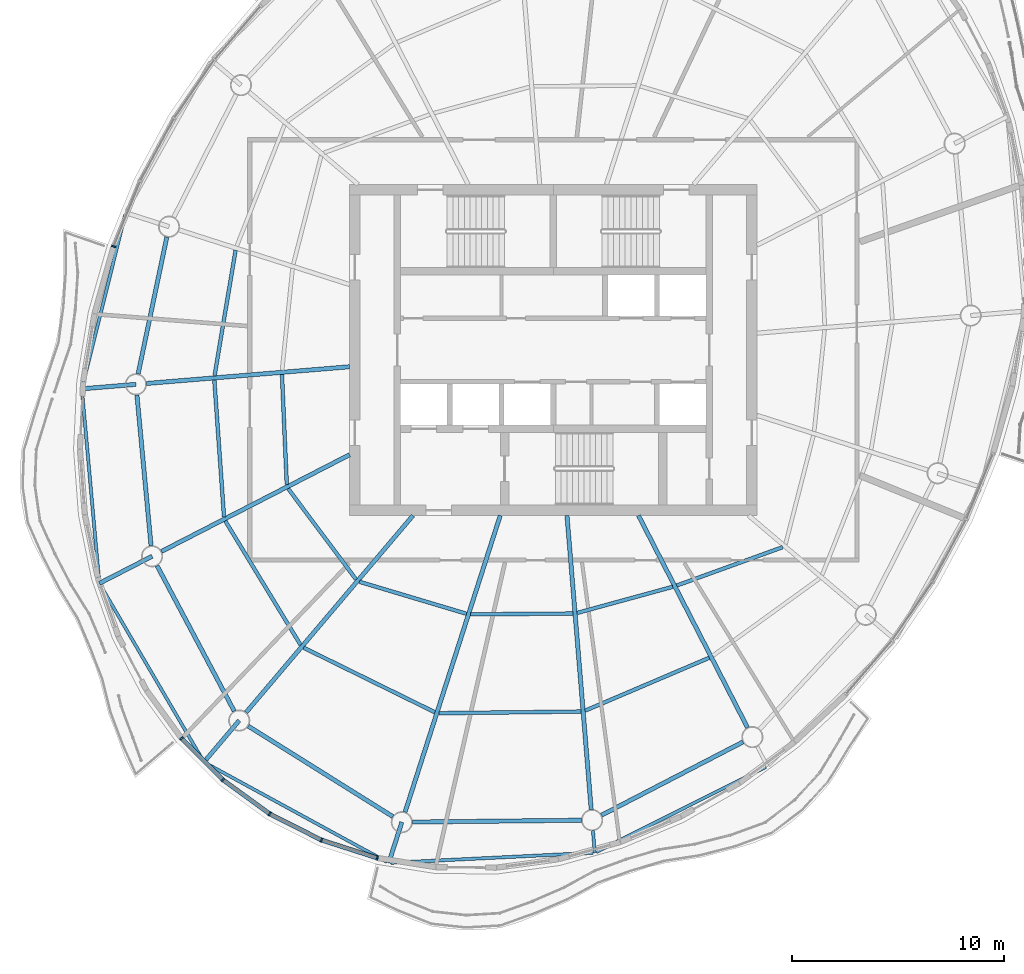
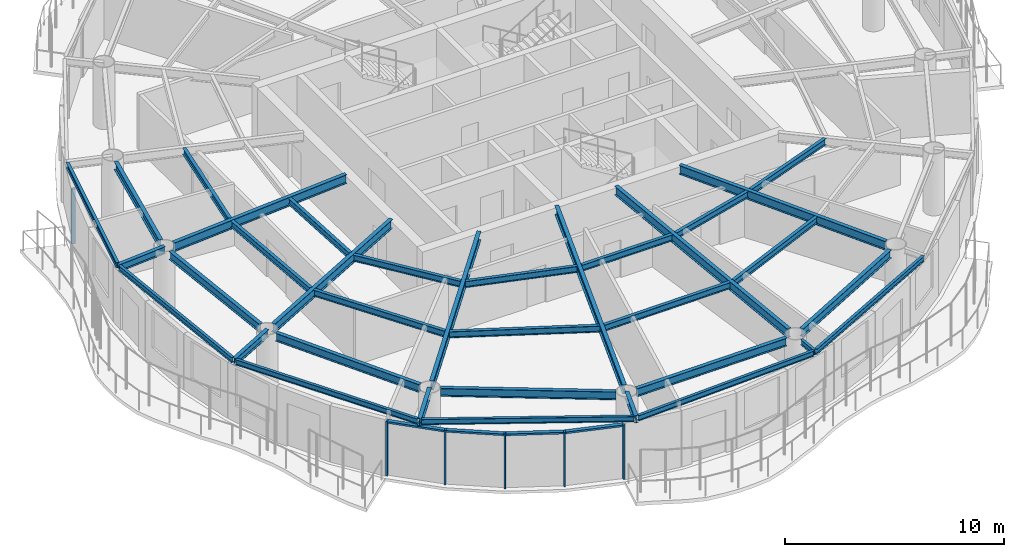
# One storey, part 2 of 14: 35 beams, 10 members, 5 elements without a shape of their own.
"""IFC4 building model written with IfcOpenShell, lengths in metres."""

from ifc_helpers import new_model, si_unit, direction, frame, origin, origin_2d, place, context, subcontext, project, spatial, rectangle, i_section, extrude, material, material_profile, profile_set, type_object, element, aggregate, save


model = new_model("IFC4")

# Units and contexts
model_context = context("Model", 3, precision=1e-05, world=origin(), true_north=direction((0.0, 1.0)))
body_context = subcontext(model_context, "Body", "Model", "MODEL_VIEW")
ifc_project = project(units=[si_unit("LENGTHUNIT", "METRE"), si_unit("AREAUNIT", "SQUARE_METRE"), si_unit("VOLUMEUNIT", "CUBIC_METRE"), si_unit("PLANEANGLEUNIT", "RADIAN"), si_unit("MASSUNIT", "GRAM", prefix="KILO")], contexts=[model_context])

# Site, building, storey
site_placement = place(None, origin())
site = spatial("IfcSite", under=ifc_project, at=site_placement, CompositionType="ELEMENT")
building_placement = place(site_placement, origin())
building = spatial("IfcBuilding", under=site, at=building_placement, Name="Vermilion Reach Broadcast Tower", CompositionType="ELEMENT")
storey_placement = place(building_placement, frame((0.0, 0.0, 268.5)))
storey = spatial("IfcBuildingStorey", under=building, at=storey_placement, Name="L66", CompositionType="ELEMENT", Elevation=268.5)

# Beams
ifc_material_1 = material(Name="Steel S355J2", Category="steel")
ifc_material_profile_1 = material_profile(ifc_material_1, i_section(OverallWidth=0.14990234375, OverallDepth=0.300048828125, WebThickness=0.006591796875, FlangeThickness=0.009033203125, at=origin_2d()), Name="S355J2 HN 300x150x6.5x9")
ifc_profile_set_1 = profile_set([ifc_material_profile_1], Name="Steel S355J2")
beam_type_1 = type_object("IfcBeamType", Name="EB5 HN 300x150x6.5x9", PredefinedType="BEAM", material=ifc_profile_set_1)
beam_1_placement = place(storey_placement, frame((-26.172119140625, 6.36767578125, 3.300048828125), z_axis=(-0.241605942273, -0.970374447653, 0.0), x_axis=(0.970374447653, -0.241605942273, 0.0)))
element("IfcBeam", 1, at=beam_1_placement, inside=storey, type_object=beam_type_1, Name="Edge beam EB5-05", PredefinedType="BEAM", context=body_context, shape_type="SweptSolid", body=[
    extrude(i_section(OverallWidth=0.14990234375, OverallDepth=0.300048828125, WebThickness=0.006591796875, FlangeThickness=0.009033203125, at=origin_2d()), origin(), (0.0, 0.0, 1.0), 8.342529296875),
])
beam_2_placement = place(storey_placement, frame((-28.204345703125, -1.9296875, 3.300048828125), z_axis=(0.089613201352, -0.995976643372, 0.0), x_axis=(0.995976643372, 0.089613201352, 0.0)))
element("IfcBeam", 2, at=beam_2_placement, inside=storey, type_object=beam_type_1, Name="Edge beam EB5-06", PredefinedType="BEAM", context=body_context, shape_type="SweptSolid", body=[
    extrude(i_section(OverallWidth=0.14990234375, OverallDepth=0.300048828125, WebThickness=0.006591796875, FlangeThickness=0.009033203125, at=origin_2d()), origin(), (0.0, 0.0, 1.0), 8.995849609375),
])
beam_3_placement = place(storey_placement, frame((-27.337890625, -11.08349609375, 3.300048828125), z_axis=(0.505035693292, -0.863098458174, 0.0), x_axis=(0.863098458174, 0.505035693292, 0.0)))
element("IfcBeam", 3, at=beam_3_placement, inside=storey, type_object=beam_type_1, Name="Edge beam EB5-07", PredefinedType="BEAM", context=body_context, shape_type="SweptSolid", body=[
    extrude(i_section(OverallWidth=0.14990234375, OverallDepth=0.300048828125, WebThickness=0.006591796875, FlangeThickness=0.009033203125, at=origin_2d()), origin(), (0.0, 0.0, 1.0), 9.5498046875),
])
beam_4_placement = place(storey_placement, frame((-22.371826171875, -19.466552734375, 3.300048828125), z_axis=(0.877919584197, -0.47880810737, 0.0), x_axis=(0.47880810737, 0.877919584197, 0.0)))
element("IfcBeam", 4, at=beam_4_placement, inside=storey, type_object=beam_type_1, Name="Edge beam EB5-08", PredefinedType="BEAM", context=body_context, shape_type="SweptSolid", body=[
    extrude(i_section(OverallWidth=0.14990234375, OverallDepth=0.300048828125, WebThickness=0.006591796875, FlangeThickness=0.009033203125, at=origin_2d()), origin(), (0.0, 0.0, 1.0), 9.7138671875),
])
beam_5_placement = place(storey_placement, frame((-13.647705078125, -24.1611328125, 3.300048828125), z_axis=(0.998787332885, 0.049232749952, 0.0), x_axis=(-0.049232749952, 0.998787332885, 0.0)))
element("IfcBeam", 5, at=beam_5_placement, inside=storey, type_object=beam_type_1, Name="Edge beam EB5-09", PredefinedType="BEAM", context=body_context, shape_type="SweptSolid", body=[
    extrude(i_section(OverallWidth=0.14990234375, OverallDepth=0.300048828125, WebThickness=0.006591796875, FlangeThickness=0.009033203125, at=origin_2d()), origin(), (0.0, 0.0, 1.0), 9.535888671875),
])
beam_6_placement = place(storey_placement, frame((-3.97607421875, -23.65185546875, 3.300048828125), z_axis=(0.894197693864, 0.447672295645, 0.0), x_axis=(-0.447672295645, 0.894197693864, 0.0)))
element("IfcBeam", 6, at=beam_6_placement, inside=storey, type_object=beam_type_1, Name="Edge beam EB5-10", PredefinedType="BEAM", context=body_context, shape_type="SweptSolid", body=[
    extrude(i_section(OverallWidth=0.14990234375, OverallDepth=0.300048828125, WebThickness=0.006591796875, FlangeThickness=0.009033203125, at=origin_2d()), origin(), (0.0, 0.0, 1.0), 8.940673828125),
])
ifc_material_2 = material(Name="Steel S355J2", Category="steel")
ifc_material_profile_2 = material_profile(ifc_material_2, i_section(OverallWidth=0.199951171875, OverallDepth=0.5, WebThickness=0.010009765625, FlangeThickness=0.01611328125, at=origin_2d()), Name="S355J2 HN 500x200x10x16")
ifc_profile_set_2 = profile_set([ifc_material_profile_2], Name="Steel S355J2")
beam_type_2 = type_object("IfcBeamType", Name="G5 HN 500x200x10x16", PredefinedType="BEAM", material=ifc_profile_set_2)
beam_7_placement = place(storey_placement, frame((-15.60009765625, -0.791015625, 3.199951171875), z_axis=(-0.996624410075, -0.082096195058, 0.0), x_axis=(0.082096195058, -0.996624410075, 0.0)))
element("IfcBeam", 7, at=beam_7_placement, inside=storey, type_object=beam_type_2, Name="Girder G5-06", PredefinedType="BEAM", context=body_context, shape_type="SweptSolid", body=[
    extrude(i_section(OverallWidth=0.199951171875, OverallDepth=0.5, WebThickness=0.010009765625, FlangeThickness=0.01611328125, at=origin_2d()), origin(), (0.0, 0.0, 1.0), 9.599609375),
])
beam_8_placement = place(storey_placement, frame((-15.60009765625, -4.935791015625, 3.199951171875), z_axis=(-0.889332502449, -0.457261085254, 0.0), x_axis=(0.457261085254, -0.889332502449, 0.0)))
element("IfcBeam", 8, at=beam_8_placement, inside=storey, type_object=beam_type_2, Name="Girder G5-07", PredefinedType="BEAM", context=body_context, shape_type="SweptSolid", body=[
    extrude(i_section(OverallWidth=0.199951171875, OverallDepth=0.5, WebThickness=0.010009765625, FlangeThickness=0.01611328125, at=origin_2d()), origin(), (0.0, 0.0, 1.0), 9.96337890625),
])
beam_9_placement = place(storey_placement, frame((-12.612548828125, -7.800048828125, 3.199951171875), z_axis=(-0.646658335602, -0.762779782766, 0.0), x_axis=(0.762779782766, -0.646658335602, 0.0)))
element("IfcBeam", 9, at=beam_9_placement, inside=storey, type_object=beam_type_2, Name="Girder G5-08", PredefinedType="BEAM", context=body_context, shape_type="SweptSolid", body=[
    extrude(i_section(OverallWidth=0.199951171875, OverallDepth=0.5, WebThickness=0.010009765625, FlangeThickness=0.01611328125, at=origin_2d()), origin(), (0.0, 0.0, 1.0), 12.16064453125),
])
beam_10_placement = place(storey_placement, frame((-8.502685546875, -7.800048828125, 3.199951171875), z_axis=(-0.305545401295, -0.952177508528, 0.0), x_axis=(0.952177508528, -0.305545401295, 0.0)))
element("IfcBeam", 10, at=beam_10_placement, inside=storey, type_object=beam_type_2, Name="Girder G5-09", PredefinedType="BEAM", context=body_context, shape_type="SweptSolid", body=[
    extrude(i_section(OverallWidth=0.199951171875, OverallDepth=0.5, WebThickness=0.010009765625, FlangeThickness=0.01611328125, at=origin_2d()), origin(), (0.0, 0.0, 1.0), 14.672607421875),
])
beam_11_placement = place(storey_placement, frame((-5.357421875, -7.800048828125, 3.199951171875), z_axis=(0.082123744247, -0.996622140347, 0.0), x_axis=(0.996622140347, 0.082123744247, 0.0)))
element("IfcBeam", 11, at=beam_11_placement, inside=storey, type_object=beam_type_2, Name="Girder G5-10", PredefinedType="BEAM", context=body_context, shape_type="SweptSolid", body=[
    extrude(i_section(OverallWidth=0.199951171875, OverallDepth=0.5, WebThickness=0.010009765625, FlangeThickness=0.01611328125, at=origin_2d()), origin(), (0.0, 0.0, 1.0), 13.89794921875),
])
beam_12_placement = place(storey_placement, frame((-1.989501953125, -7.800048828125, 3.199951171875), z_axis=(0.457258168112, -0.889334002327, 0.0), x_axis=(0.889334002327, 0.457258168112, 0.0)))
element("IfcBeam", 12, at=beam_12_placement, inside=storey, type_object=beam_type_2, Name="Girder G5-11", PredefinedType="BEAM", context=body_context, shape_type="SweptSolid", body=[
    extrude(i_section(OverallWidth=0.199951171875, OverallDepth=0.5, WebThickness=0.010009765625, FlangeThickness=0.01611328125, at=origin_2d()), origin(), (0.0, 0.0, 1.0), 11.236328125),
])
ifc_material_3 = material(Name="Steel S355J2", Category="steel")
ifc_material_profile_3 = material_profile(ifc_material_3, i_section(OverallWidth=0.199951171875, OverallDepth=0.39990234375, WebThickness=0.008056640625, FlangeThickness=0.012939453125, at=origin_2d()), Name="S355J2 HN 400x200x8x13")
ifc_profile_set_3 = profile_set([ifc_material_profile_3], Name="Steel S355J2")
beam_type_3 = type_object("IfcBeamType", Name="GC5 HN 400x200x8x13", PredefinedType="BEAM", material=ifc_profile_set_3)
beam_13_placement = place(storey_placement, frame((-25.665771484375, -1.620361328125, 3.25), z_axis=(-0.996628904746, -0.082041612763, 0.0), x_axis=(0.082041612763, -0.996628904746, 0.0)))
element("IfcBeam", 13, at=beam_13_placement, inside=storey, type_object=beam_type_3, Name="Cantilever girder GC5-06", PredefinedType="BEAM", context=body_context, shape_type="SweptSolid", body=[
    extrude(i_section(OverallWidth=0.199951171875, OverallDepth=0.39990234375, WebThickness=0.008056640625, FlangeThickness=0.012939453125, at=origin_2d()), origin(), (0.0, 0.0, 1.0), 2.55615234375),
])
beam_14_placement = place(storey_placement, frame((-24.905517578125, -9.72021484375, 3.25), z_axis=(-0.889351807107, -0.457223537446, 0.0), x_axis=(0.457223537446, -0.889351807107, 0.0)))
element("IfcBeam", 14, at=beam_14_placement, inside=storey, type_object=beam_type_3, Name="Cantilever girder GC5-07", PredefinedType="BEAM", context=body_context, shape_type="SweptSolid", body=[
    extrude(i_section(OverallWidth=0.199951171875, OverallDepth=0.39990234375, WebThickness=0.008056640625, FlangeThickness=0.012939453125, at=origin_2d()), origin(), (0.0, 0.0, 1.0), 2.7919921875),
])
beam_15_placement = place(storey_placement, frame((-20.799560546875, -17.457275390625, 3.25), z_axis=(-0.646674437555, -0.762766131795, 0.0), x_axis=(0.762766131795, -0.646674437555, 0.0)))
element("IfcBeam", 15, at=beam_15_placement, inside=storey, type_object=beam_type_3, Name="Cantilever girder GC5-08", PredefinedType="BEAM", context=body_context, shape_type="SweptSolid", body=[
    extrude(i_section(OverallWidth=0.199951171875, OverallDepth=0.39990234375, WebThickness=0.008056640625, FlangeThickness=0.012939453125, at=origin_2d()), origin(), (0.0, 0.0, 1.0), 2.56982421875),
])
beam_16_placement = place(storey_placement, frame((-13.138427734375, -22.2470703125, 3.25), z_axis=(-0.305562227311, -0.952172109044, 0.0), x_axis=(0.952172109044, -0.305562227311, 0.0)))
element("IfcBeam", 16, at=beam_16_placement, inside=storey, type_object=beam_type_3, Name="Cantilever girder GC5-09", PredefinedType="BEAM", context=body_context, shape_type="SweptSolid", body=[
    extrude(i_section(OverallWidth=0.199951171875, OverallDepth=0.39990234375, WebThickness=0.008056640625, FlangeThickness=0.012939453125, at=origin_2d()), origin(), (0.0, 0.0, 1.0), 2.015869140625),
])
ifc_material_4 = material(Name="Steel S355J2", Category="steel")
ifc_material_profile_4 = material_profile(ifc_material_4, i_section(OverallWidth=0.14990234375, OverallDepth=0.300048828125, WebThickness=0.006591796875, FlangeThickness=0.009033203125, at=origin_2d()), Name="S355J2 HN 300x150x6.5x9")
ifc_profile_set_4 = profile_set([ifc_material_profile_4], Name="Steel S355J2")
beam_type_4 = type_object("IfcBeamType", Name="GS5 HN 300x150x6.5x9", PredefinedType="BEAM", material=ifc_profile_set_4)
beam_17_placement = place(storey_placement, frame((-4.134033203125, -22.647705078125, 3.300048828125), z_axis=(0.082096959827, -0.996624347077, 0.0), x_axis=(0.996624347077, 0.082096959827, 0.0)))
element("IfcBeam", 17, at=beam_17_placement, inside=storey, type_object=beam_type_4, Name="Cantilever stub GS5-10", PredefinedType="BEAM", context=body_context, shape_type="SweptSolid", body=[
    extrude(i_section(OverallWidth=0.14990234375, OverallDepth=0.300048828125, WebThickness=0.006591796875, FlangeThickness=0.009033203125, at=origin_2d()), origin(), (0.0, 0.0, 1.0), 1.043701171875),
])
ifc_material_5 = material(Name="Steel S355J2", Category="steel")
ifc_material_profile_5 = material_profile(ifc_material_5, i_section(OverallWidth=0.199951171875, OverallDepth=0.449951171875, WebThickness=0.009033203125, FlangeThickness=0.013916015625, at=origin_2d()), Name="S355J2 HN 450x200x9x14")
ifc_profile_set_5 = profile_set([ifc_material_profile_5], Name="Steel S355J2")
beam_type_5 = type_object("IfcBeamType", Name="RB5 HN 450x200x9x14", PredefinedType="BEAM", material=ifc_profile_set_5)
beam_18_placement = place(storey_placement, frame((-24.208740234375, 5.3203125, 3.22509765625), z_axis=(-0.205444869285, -0.978668690459, 0.0), x_axis=(0.978668690459, -0.205444869285, 0.0)))
element("IfcBeam", 18, at=beam_18_placement, inside=storey, type_object=beam_type_5, Name="Ring beam RB5-05", PredefinedType="BEAM", context=body_context, shape_type="SweptSolid", body=[
    extrude(i_section(OverallWidth=0.199951171875, OverallDepth=0.449951171875, WebThickness=0.009033203125, FlangeThickness=0.013916015625, at=origin_2d()), origin(), (0.0, 0.0, 1.0), 6.591796875),
])
beam_19_placement = place(storey_placement, frame((-25.618896484375, -2.1181640625, 3.22509765625), z_axis=(0.093441399272, -0.995624781181, 0.0), x_axis=(0.995624781181, 0.093441399272, 0.0)))
element("IfcBeam", 19, at=beam_19_placement, inside=storey, type_object=beam_type_5, Name="Ring beam RB5-06", PredefinedType="BEAM", context=body_context, shape_type="SweptSolid", body=[
    extrude(i_section(OverallWidth=0.199951171875, OverallDepth=0.449951171875, WebThickness=0.009033203125, FlangeThickness=0.013916015625, at=origin_2d()), origin(), (0.0, 0.0, 1.0), 7.135498046875),
])
beam_20_placement = place(storey_placement, frame((-24.671142578125, -10.161865234375, 3.22509765625), z_axis=(0.468767917375, -0.883321368269, 0.0), x_axis=(0.883321368269, 0.468767917375, 0.0)))
element("IfcBeam", 20, at=beam_20_placement, inside=storey, type_object=beam_type_5, Name="Ring beam RB5-07", PredefinedType="BEAM", context=body_context, shape_type="SweptSolid", body=[
    extrude(i_section(OverallWidth=0.199951171875, OverallDepth=0.449951171875, WebThickness=0.009033203125, FlangeThickness=0.013916015625, at=origin_2d()), origin(), (0.0, 0.0, 1.0), 7.759033203125),
])
beam_21_placement = place(storey_placement, frame((-20.375732421875, -17.722412109375, 3.22509765625), z_axis=(0.847914653245, -0.530132757724, 0.0), x_axis=(0.530132757724, 0.847914653245, 0.0)))
element("IfcBeam", 21, at=beam_21_placement, inside=storey, type_object=beam_type_5, Name="Ring beam RB5-08", PredefinedType="BEAM", context=body_context, shape_type="SweptSolid", body=[
    extrude(i_section(OverallWidth=0.199951171875, OverallDepth=0.449951171875, WebThickness=0.009033203125, FlangeThickness=0.013916015625, at=origin_2d()), origin(), (0.0, 0.0, 1.0), 8.035400390625),
])
beam_22_placement = place(storey_placement, frame((-12.638427734375, -22.24169921875, 3.22509765625), z_axis=(0.999940445231, 0.010913569149, 0.0), x_axis=(-0.010913569149, 0.999940445231, 0.0)))
element("IfcBeam", 22, at=beam_22_placement, inside=storey, type_object=beam_type_5, Name="Ring beam RB5-09", PredefinedType="BEAM", context=body_context, shape_type="SweptSolid", body=[
    extrude(i_section(OverallWidth=0.199951171875, OverallDepth=0.449951171875, WebThickness=0.009033203125, FlangeThickness=0.013916015625, at=origin_2d()), origin(), (0.0, 0.0, 1.0), 7.9638671875),
])
beam_23_placement = place(storey_placement, frame((-3.731201171875, -21.91943359375, 3.22509765625), z_axis=(0.887960248279, 0.459920207729, 0.0), x_axis=(-0.459920207729, 0.887960248279, 0.0)))
element("IfcBeam", 23, at=beam_23_placement, inside=storey, type_object=beam_type_5, Name="Ring beam RB5-10", PredefinedType="BEAM", context=body_context, shape_type="SweptSolid", body=[
    extrude(i_section(OverallWidth=0.199951171875, OverallDepth=0.449951171875, WebThickness=0.009033203125, FlangeThickness=0.013916015625, at=origin_2d()), origin(), (0.0, 0.0, 1.0), 7.5048828125),
])
ifc_material_6 = material(Name="Steel S355J2", Category="steel")
ifc_material_profile_6 = material_profile(ifc_material_6, i_section(OverallWidth=0.175048828125, OverallDepth=0.35009765625, WebThickness=0.007080078125, FlangeThickness=0.010986328125, at=origin_2d()), Name="S355J2 HN 350x175x7x11")
ifc_profile_set_6 = profile_set([ifc_material_profile_6], Name="Steel S355J2")
beam_type_6 = type_object("IfcBeamType", Name="SB5 HN 350x175x7x11", PredefinedType="BEAM", material=ifc_profile_set_6)
beam_24_placement = place(storey_placement, frame((-20.969970703125, 4.698486328125, 3.27490234375), z_axis=(-0.16532337011, -0.986239414795, 0.0), x_axis=(0.986239414795, -0.16532337011, 0.0)))
element("IfcBeam", 24, at=beam_24_placement, inside=storey, type_object=beam_type_6, Name="Secondary beam SB5-05-2", PredefinedType="BEAM", context=body_context, shape_type="SweptSolid", body=[
    extrude(i_section(OverallWidth=0.175048828125, OverallDepth=0.35009765625, WebThickness=0.007080078125, FlangeThickness=0.010986328125, at=origin_2d()), origin(), (0.0, 0.0, 1.0), 5.99560546875),
])
beam_25_placement = place(storey_placement, frame((-18.78466796875, -1.153564453125, 3.27490234375), z_axis=(0.043557530017, -0.999050920413, 0.0), x_axis=(0.999050920413, 0.043557530017, 0.0)))
element("IfcBeam", 25, at=beam_25_placement, inside=storey, type_object=beam_type_6, Name="Secondary beam SB5-06-1", PredefinedType="BEAM", context=body_context, shape_type="SweptSolid", body=[
    extrude(i_section(OverallWidth=0.175048828125, OverallDepth=0.35009765625, WebThickness=0.007080078125, FlangeThickness=0.010986328125, at=origin_2d()), origin(), (0.0, 0.0, 1.0), 5.19580078125),
])
beam_26_placement = place(storey_placement, frame((-21.97119140625, -1.416259765625, 3.27490234375), z_axis=(0.070586780458, -0.997505642302, 0.0), x_axis=(0.997505642302, 0.070586780458, 0.0)))
element("IfcBeam", 26, at=beam_26_placement, inside=storey, type_object=beam_type_6, Name="Secondary beam SB5-06-2", PredefinedType="BEAM", context=body_context, shape_type="SweptSolid", body=[
    extrude(i_section(OverallWidth=0.175048828125, OverallDepth=0.35009765625, WebThickness=0.007080078125, FlangeThickness=0.010986328125, at=origin_2d()), origin(), (0.0, 0.0, 1.0), 6.46435546875),
])
beam_27_placement = place(storey_placement, frame((-18.492919921875, -6.53564453125, 3.27490234375), z_axis=(0.599055582645, -0.800707442767, 0.0), x_axis=(0.800707442767, 0.599055582645, 0.0)))
element("IfcBeam", 27, at=beam_27_placement, inside=storey, type_object=beam_type_6, Name="Secondary beam SB5-07-1", PredefinedType="BEAM", context=body_context, shape_type="SweptSolid", body=[
    extrude(i_section(OverallWidth=0.175048828125, OverallDepth=0.35009765625, WebThickness=0.007080078125, FlangeThickness=0.010986328125, at=origin_2d()), origin(), (0.0, 0.0, 1.0), 5.337890625),
])
beam_28_placement = place(storey_placement, frame((-21.455078125, -8.058837890625, 3.27490234375), z_axis=(0.519272962556, -0.854608442714, 0.0), x_axis=(0.854608442714, 0.519272962556, 0.0)))
element("IfcBeam", 28, at=beam_28_placement, inside=storey, type_object=beam_type_6, Name="Secondary beam SB5-07-2", PredefinedType="BEAM", context=body_context, shape_type="SweptSolid", body=[
    extrude(i_section(OverallWidth=0.175048828125, OverallDepth=0.35009765625, WebThickness=0.007080078125, FlangeThickness=0.010986328125, at=origin_2d()), origin(), (0.0, 0.0, 1.0), 6.82763671875),
])
beam_29_placement = place(storey_placement, frame((-15.129150390625, -10.92333984375, 3.27490234375), z_axis=(0.958124906971, -0.286350593925, 0.0), x_axis=(0.286350593925, 0.958124906971, 0.0)))
element("IfcBeam", 29, at=beam_29_placement, inside=storey, type_object=beam_type_6, Name="Secondary beam SB5-08-1", PredefinedType="BEAM", context=body_context, shape_type="SweptSolid", body=[
    extrude(i_section(OverallWidth=0.175048828125, OverallDepth=0.35009765625, WebThickness=0.007080078125, FlangeThickness=0.010986328125, at=origin_2d()), origin(), (0.0, 0.0, 1.0), 5.25634765625),
])
beam_30_placement = place(storey_placement, frame((-17.762451171875, -14.029541015625, 3.27490234375), z_axis=(0.897335928087, -0.441348198325, 0.0), x_axis=(0.441348198325, 0.897335928087, 0.0)))
element("IfcBeam", 30, at=beam_30_placement, inside=storey, type_object=beam_type_6, Name="Secondary beam SB5-08-2", PredefinedType="BEAM", context=body_context, shape_type="SweptSolid", body=[
    extrude(i_section(OverallWidth=0.175048828125, OverallDepth=0.35009765625, WebThickness=0.007080078125, FlangeThickness=0.010986328125, at=origin_2d()), origin(), (0.0, 0.0, 1.0), 6.887451171875),
])
beam_31_placement = place(storey_placement, frame((-9.891845703125, -12.4560546875, 3.27490234375), z_axis=(0.999968312294, 0.007960804474, 0.0), x_axis=(-0.007960804474, 0.999968312294, 0.0)))
element("IfcBeam", 31, at=beam_31_placement, inside=storey, type_object=beam_type_6, Name="Secondary beam SB5-09-1", PredefinedType="BEAM", context=body_context, shape_type="SweptSolid", body=[
    extrude(i_section(OverallWidth=0.175048828125, OverallDepth=0.35009765625, WebThickness=0.007080078125, FlangeThickness=0.010986328125, at=origin_2d()), origin(), (0.0, 0.0, 1.0), 4.81494140625),
])
beam_32_placement = place(storey_placement, frame((-11.385986328125, -17.11279296875, 3.27490234375), z_axis=(0.999932654133, 0.011605481368, 0.0), x_axis=(-0.011605481368, 0.999932654133, 0.0)))
element("IfcBeam", 32, at=beam_32_placement, inside=storey, type_object=beam_type_6, Name="Secondary beam SB5-09-2", PredefinedType="BEAM", context=body_context, shape_type="SweptSolid", body=[
    extrude(i_section(OverallWidth=0.175048828125, OverallDepth=0.35009765625, WebThickness=0.007080078125, FlangeThickness=0.010986328125, at=origin_2d()), origin(), (0.0, 0.0, 1.0), 6.689697265625),
])
beam_33_placement = place(storey_placement, frame((-4.87890625, -12.39013671875, 3.27490234375), z_axis=(0.964547496851, 0.263909314573, 0.0), x_axis=(-0.263909314573, 0.964547496851, 0.0)))
element("IfcBeam", 33, at=beam_33_placement, inside=storey, type_object=beam_type_6, Name="Secondary beam SB5-10-1", PredefinedType="BEAM", context=body_context, shape_type="SweptSolid", body=[
    extrude(i_section(OverallWidth=0.175048828125, OverallDepth=0.35009765625, WebThickness=0.007080078125, FlangeThickness=0.010986328125, at=origin_2d()), origin(), (0.0, 0.0, 1.0), 4.6689453125),
])
beam_34_placement = place(storey_placement, frame((-4.49951171875, -16.99267578125, 3.27490234375), z_axis=(0.919880986172, 0.392197617637, 0.0), x_axis=(-0.392197617637, 0.919880986172, 0.0)))
element("IfcBeam", 34, at=beam_34_placement, inside=storey, type_object=beam_type_6, Name="Secondary beam SB5-10-2", PredefinedType="BEAM", context=body_context, shape_type="SweptSolid", body=[
    extrude(i_section(OverallWidth=0.175048828125, OverallDepth=0.35009765625, WebThickness=0.007080078125, FlangeThickness=0.010986328125, at=origin_2d()), origin(), (0.0, 0.0, 1.0), 6.351806640625),
])
beam_35_placement = place(storey_placement, frame((-0.18212890625, -11.0966796875, 3.27490234375), z_axis=(0.940220108875, 0.340567389613, 0.0), x_axis=(-0.340567389613, 0.940220108875, 0.0)))
element("IfcBeam", 35, at=beam_35_placement, inside=storey, type_object=beam_type_6, Name="Secondary beam SB5-11-1", PredefinedType="BEAM", context=body_context, shape_type="SweptSolid", body=[
    extrude(i_section(OverallWidth=0.175048828125, OverallDepth=0.35009765625, WebThickness=0.007080078125, FlangeThickness=0.010986328125, at=origin_2d()), origin(), (0.0, 0.0, 1.0), 5.303466796875),
])

# Curtain wall, member
ifc_material_7 = material(Name="Low-e laminated clear glass in aluminium frame", Category="aluminium")
curtain_wall_type = type_object("IfcCurtainWallType", Name="Slot curtain wall", PredefinedType="NOTDEFINED", material=ifc_material_7)
placement = place(storey_placement, origin())
curtain_wall_1 = element("IfcCurtainWall", 36, at=placement, inside=storey, type_object=curtain_wall_type, Name="Slot curtain wall L66 13", PredefinedType="NOTDEFINED")
ifc_material_8 = material(Name="Anodised aluminium", Category="aluminium")
ifc_material_profile_7 = material_profile(ifc_material_8, rectangle(XDim=0.199951171875, YDim=0.080078125, at=origin_2d()), Name="Slot mullion 80 x 200")
ifc_profile_set_7 = profile_set([ifc_material_profile_7], Name="Anodised aluminium")
member_type_1 = type_object("IfcMemberType", Name="Slot mullion 80 x 200", PredefinedType="MULLION", material=ifc_profile_set_7)
member_1_placement = place(storey_placement, frame((-26.716064453125, 4.87890625, 0.0), z_axis=(0.0, 0.0, 1.0), x_axis=(0.945296659224, -0.32621193427, 0.0)))
member_1 = element("IfcMember", 37, at=member_1_placement, type_object=member_type_1, Name="Slot mullion L66 14", PredefinedType="MULLION", context=body_context, shape_type="SweptSolid", body=[
    extrude(rectangle(XDim=0.199951171875, YDim=0.080078125, at=origin_2d()), origin(), (0.0, 0.0, 1.0), 3.050048828125),
])
aggregate(curtain_wall_1, [member_1])

curtain_wall_2 = element("IfcCurtainWall", 38, at=placement, inside=storey, type_object=curtain_wall_type, Name="Slot curtain wall L66 22", PredefinedType="NOTDEFINED")
member_2_placement = place(storey_placement, frame((-23.51806640625, -18.295654296875, 0.0), z_axis=(0.0, 0.0, 1.0), x_axis=(0.760558751255, 0.649269116691, 0.0)))
member_2 = element("IfcMember", 39, at=member_2_placement, type_object=member_type_1, Name="Slot mullion L66 22", PredefinedType="MULLION", context=body_context, shape_type="SweptSolid", body=[
    extrude(rectangle(XDim=0.199951171875, YDim=0.080078125, at=origin_2d()), origin(), (0.0, 0.0, 1.0), 3.050048828125),
])

curtain_wall_3 = element("IfcCurtainWall", 40, at=placement, inside=storey, type_object=curtain_wall_type, Name="Slot curtain wall L66 23", PredefinedType="NOTDEFINED")
member_3_placement = place(storey_placement, frame((-21.57177734375, -20.247802734375, 0.0), z_axis=(0.0, 0.0, 1.0), x_axis=(0.650096862969, 0.759851346487, 0.0)))
member_3 = element("IfcMember", 41, at=member_3_placement, type_object=member_type_1, Name="Slot mullion L66 23", PredefinedType="MULLION", context=body_context, shape_type="SweptSolid", body=[
    extrude(rectangle(XDim=0.199951171875, YDim=0.080078125, at=origin_2d()), origin(), (0.0, 0.0, 1.0), 3.050048828125),
])

curtain_wall_4 = element("IfcCurtainWall", 42, at=placement, inside=storey, type_object=curtain_wall_type, Name="Slot curtain wall L66 24", PredefinedType="NOTDEFINED")
member_4_placement = place(storey_placement, frame((-19.361083984375, -21.854736328125, 0.0), z_axis=(0.0, 0.0, 1.0), x_axis=(0.521605382234, 0.853186864189, 0.0)))
member_4 = element("IfcMember", 43, at=member_4_placement, type_object=member_type_1, Name="Slot mullion L66 24", PredefinedType="MULLION", context=body_context, shape_type="SweptSolid", body=[
    extrude(rectangle(XDim=0.199951171875, YDim=0.080078125, at=origin_2d()), origin(), (0.0, 0.0, 1.0), 3.050048828125),
])

# Curtain wall, members
curtain_wall_5 = element("IfcCurtainWall", 44, at=placement, inside=storey, type_object=curtain_wall_type, Name="Slot curtain wall L66 25", PredefinedType="NOTDEFINED")
member_5_placement = place(storey_placement, frame((-16.923095703125, -23.08984375, 0.0), z_axis=(0.0, 0.0, 1.0), x_axis=(0.379958126314, 0.925003687694, 0.0)))
member_5 = element("IfcMember", 45, at=member_5_placement, type_object=member_type_1, Name="Slot mullion L66 25", PredefinedType="MULLION", context=body_context, shape_type="SweptSolid", body=[
    extrude(rectangle(XDim=0.199951171875, YDim=0.080078125, at=origin_2d()), origin(), (0.0, 0.0, 1.0), 3.050048828125),
])
member_6_placement = place(storey_placement, frame((-14.29833984375, -23.932373046875, 0.0), z_axis=(0.0, 0.0, 1.0), x_axis=(0.231179465637, 0.972911123725, 0.0)))
member_6 = element("IfcMember", 46, at=member_6_placement, type_object=member_type_1, Name="Slot mullion L66 26", PredefinedType="MULLION", context=body_context, shape_type="SweptSolid", body=[
    extrude(rectangle(XDim=0.199951171875, YDim=0.080078125, at=origin_2d()), origin(), (0.0, 0.0, 1.0), 3.050048828125),
])

# Member
ifc_material_9 = material(Name="Anodised aluminium", Category="aluminium")
ifc_material_profile_8 = material_profile(ifc_material_9, rectangle(XDim=0.199951171875, YDim=0.10009765625, at=origin_2d()), Name="Slot transom 200 x 100")
ifc_profile_set_8 = profile_set([ifc_material_profile_8], Name="Anodised aluminium")
member_type_2 = type_object("IfcMemberType", Name="Slot transom 200 x 100", PredefinedType="USERDEFINED", material=ifc_profile_set_8)
member_7_placement = place(storey_placement, frame((-23.489990234375, -18.323974609375, 3.0), z_axis=(0.706057087501, -0.70815491892, 0.0), x_axis=(0.70815491892, 0.706057087501, 0.0)))
member_7 = element("IfcMember", 47, at=member_7_placement, type_object=member_type_2, Name="Slot transom L66 22.1", ObjectType="TRANSOM", PredefinedType="USERDEFINED", context=body_context, shape_type="SweptSolid", body=[
    extrude(rectangle(XDim=0.199951171875, YDim=0.10009765625, at=origin_2d()), origin(), (0.0, 0.0, 1.0), 2.6767578125),
])

aggregate(curtain_wall_2, [member_2, member_7])

member_8_placement = place(storey_placement, frame((-21.53955078125, -20.271240234375, 3.0), z_axis=(0.808855444891, -0.588007541849, 0.0), x_axis=(0.588007541849, 0.808855444891, 0.0)))
member_8 = element("IfcMember", 48, at=member_8_placement, type_object=member_type_2, Name="Slot transom L66 23.1", ObjectType="TRANSOM", PredefinedType="USERDEFINED", context=body_context, shape_type="SweptSolid", body=[
    extrude(rectangle(XDim=0.199951171875, YDim=0.10009765625, at=origin_2d()), origin(), (0.0, 0.0, 1.0), 2.653076171875),
])

aggregate(curtain_wall_3, [member_3, member_8])

member_9_placement = place(storey_placement, frame((-19.325439453125, -21.872802734375, 3.0), z_axis=(0.892059024373, -0.451918905374, 0.0), x_axis=(0.451918905374, 0.892059024373, 0.0)))
member_9 = element("IfcMember", 49, at=member_9_placement, type_object=member_type_2, Name="Slot transom L66 24.1", ObjectType="TRANSOM", PredefinedType="USERDEFINED", context=body_context, shape_type="SweptSolid", body=[
    extrude(rectangle(XDim=0.199951171875, YDim=0.10009765625, at=origin_2d()), origin(), (0.0, 0.0, 1.0), 2.653076171875),
])

aggregate(curtain_wall_4, [member_4, member_9])

member_10_placement = place(storey_placement, frame((-16.885009765625, -23.10205078125, 3.0), z_axis=(0.952171761366, -0.305563310717, 0.0), x_axis=(0.305563310717, 0.952171761366, 0.0)))
member_10 = element("IfcMember", 50, at=member_10_placement, type_object=member_type_2, Name="Slot transom L66 25.1", ObjectType="TRANSOM", PredefinedType="USERDEFINED", context=body_context, shape_type="SweptSolid", body=[
    extrude(rectangle(XDim=0.199951171875, YDim=0.10009765625, at=origin_2d()), origin(), (0.0, 0.0, 1.0), 2.676513671875),
])

aggregate(curtain_wall_5, [member_5, member_6, member_10])

save(model, "model.ifc")
